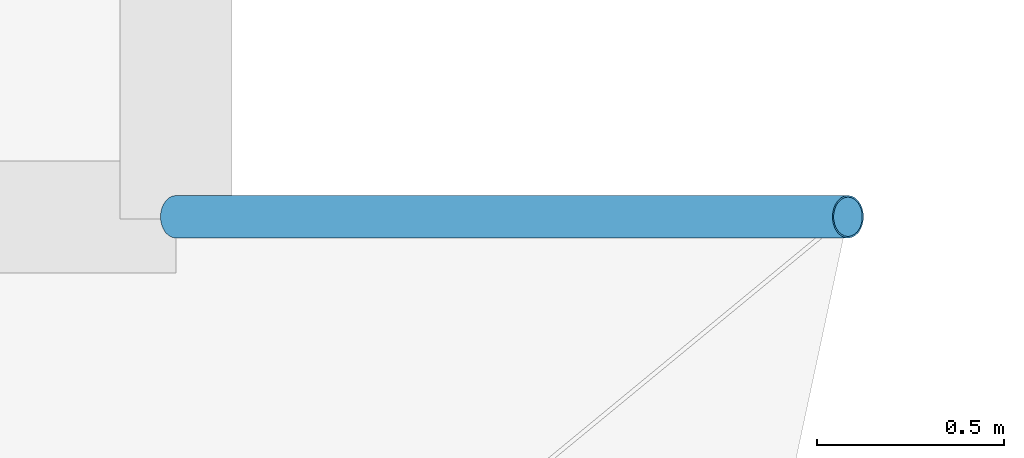
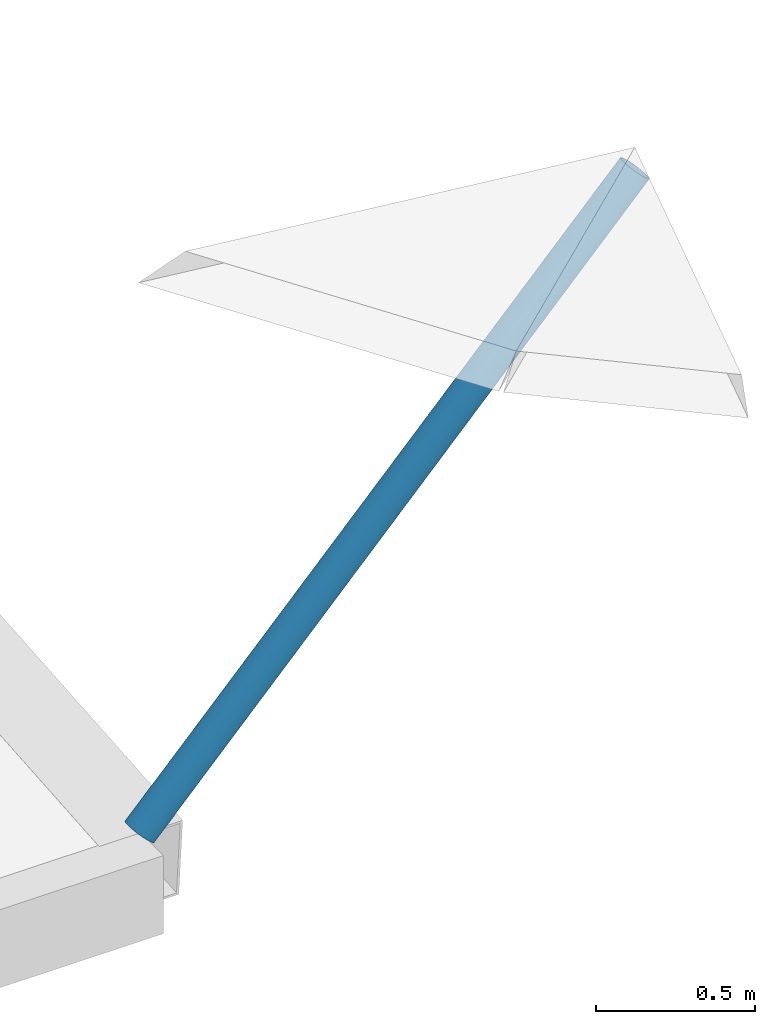
# One storey, part 20 of 37: 1 discrete accessory.
"""IFC4 building model written with IfcOpenShell, lengths in metres."""

from ifc_helpers import new_model, si_unit, direction, frame, origin, origin_2d, place, context, subcontext, project, spatial, hollow_circle, extrude, material, material_profile, profile_set, type_object, element, save


model = new_model("IFC4")

# Units and contexts
model_context = context("Model", 3, precision=1e-05, world=origin(), true_north=direction((0.0, 1.0)))
body_context = subcontext(model_context, "Body", "Model", "MODEL_VIEW")
ifc_project = project(units=[si_unit("LENGTHUNIT", "METRE"), si_unit("AREAUNIT", "SQUARE_METRE"), si_unit("VOLUMEUNIT", "CUBIC_METRE"), si_unit("PLANEANGLEUNIT", "RADIAN"), si_unit("MASSUNIT", "GRAM", prefix="KILO")], contexts=[model_context])

# Site, building, storey
site_placement = place(None, origin())
site = spatial("IfcSite", under=ifc_project, at=site_placement, CompositionType="ELEMENT")
building_placement = place(site_placement, origin())
building = spatial("IfcBuilding", under=site, at=building_placement, Name="Rain Tree Exposition and Congress Centre", CompositionType="ELEMENT")
storey_placement = place(building_placement, frame((0.0, 0.0, 25.0)))
storey = spatial("IfcBuildingStorey", under=building, at=storey_placement, Name="ROOF VAULT LOW", CompositionType="ELEMENT", Elevation=25.0)

# Discrete accessory
ifc_material = material(Name="Steel S355J2H", Category="steel")
ifc_material_profile = material_profile(ifc_material, hollow_circle(Radius=0.05712890625, WallThickness=0.00439453125, at=origin_2d()), Name="CHS 114x4.5")
ifc_profile_set = profile_set([ifc_material_profile], Name="Steel S355J2H")
discrete_accessory_type = type_object("IfcDiscreteAccessoryType", Name="Roof skin post CHS 114x4.5", PredefinedType="BRACKET", material=ifc_profile_set)
discrete_accessory_placement = place(storey_placement, frame((126.0, 134.39990234375, 0.4892578125), z_axis=(0.683965814736, 0.0, 0.729514060367), x_axis=(0.0, 1.0, 0.0)))
element("IfcDiscreteAccessory", 1, at=discrete_accessory_placement, inside=storey, type_object=discrete_accessory_type, Name="Roof skin post A75", PredefinedType="BRACKET", context=body_context, shape_type="SweptSolid", body=[
    extrude(hollow_circle(Radius=0.05712890625, WallThickness=0.00439453125, at=origin_2d()), origin(), (0.0, 0.0, 1.0), 2.6318359375),
])

save(model, "model.ifc")
